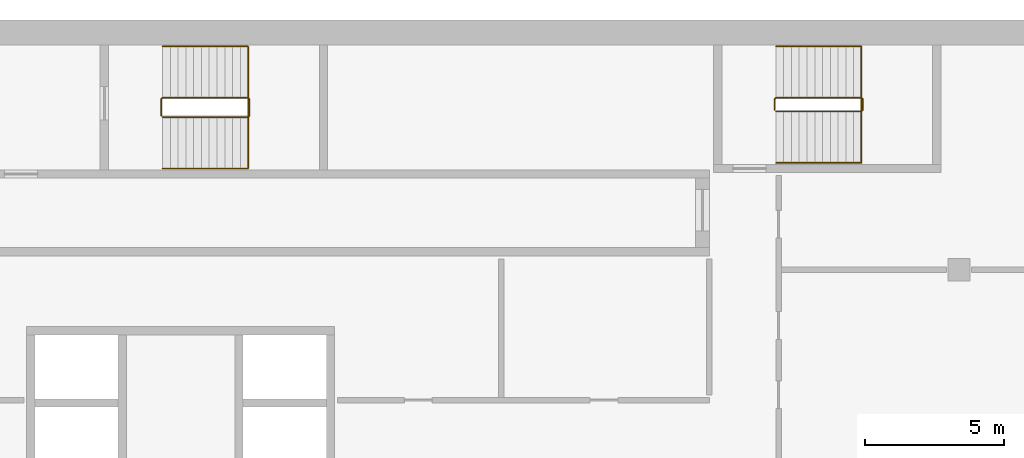
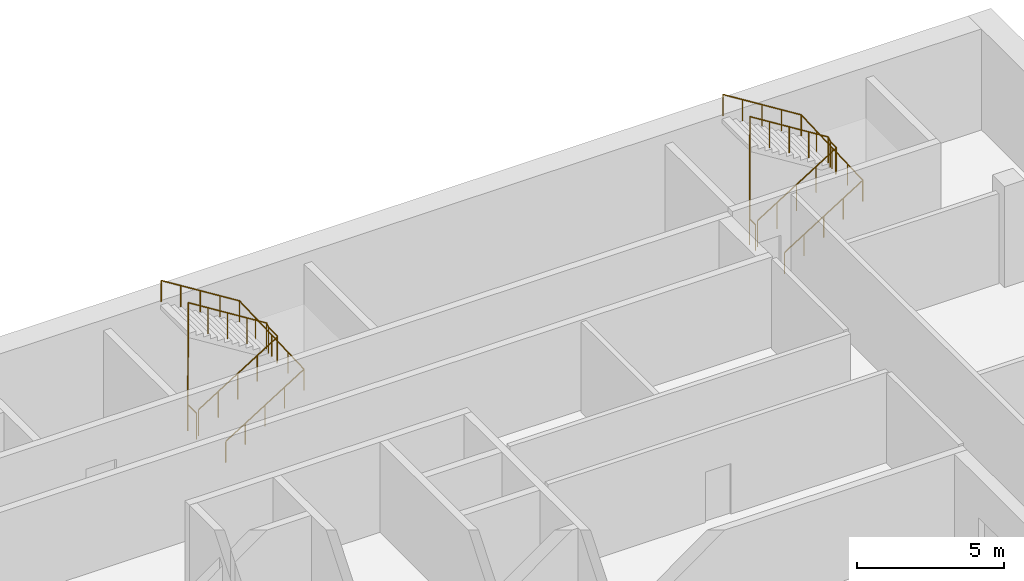
# One storey, part 11 of 11: 4 railings.
"""IFC4 building model written with IfcOpenShell, lengths in metres."""

from ifc_helpers import new_model, si_unit, direction, frame, origin, origin_2d, place, context, subcontext, project, spatial, circle, extrude, material, type_object, element, save


model = new_model("IFC4")

# Units and contexts
model_context = context("Model", 3, precision=1e-05, world=origin(), true_north=direction((0.0, 1.0)))
body_context = subcontext(model_context, "Body", "Model", "MODEL_VIEW")
ifc_project = project(units=[si_unit("LENGTHUNIT", "METRE"), si_unit("AREAUNIT", "SQUARE_METRE"), si_unit("VOLUMEUNIT", "CUBIC_METRE"), si_unit("PLANEANGLEUNIT", "RADIAN"), si_unit("MASSUNIT", "GRAM", prefix="KILO")], contexts=[model_context])

# Site, building, storey
site_placement = place(None, origin())
site = spatial("IfcSite", under=ifc_project, at=site_placement, CompositionType="ELEMENT")
building_placement = place(site_placement, origin())
building = spatial("IfcBuilding", under=site, at=building_placement, Name="Hunhe Ridgeline Campus", CompositionType="ELEMENT")
storey_placement = place(building_placement, frame((0.0, 0.0, 303.0)))
storey = spatial("IfcBuildingStorey", under=building, at=storey_placement, Name="L78 Crown", CompositionType="ELEMENT", Elevation=303.0)

# Railings
ifc_material_1 = material(Name="Stainless steel balustrade", Category="steel")
railing_type_1 = type_object("IfcRailingType", Name="Stair guard 1100 stainless", PredefinedType="GUARDRAIL", material=ifc_material_1)
railing_1_placement = place(storey_placement, frame((16.300048828125, 95.5, 0.175048828125)))
element("IfcRailing", 1, at=railing_1_placement, inside=storey, type_object=railing_type_1, Name="L78 Crown stair S1 guard", PredefinedType="GUARDRAIL", context=body_context, shape_type="SweptSolid", body=[
    extrude(circle(Radius=0.02392578125, at=origin_2d()), frame((0.0, 0.0, 1.076171875), z_axis=(0.847979421464, 0.0, 0.530029150871), x_axis=(0.0, 1.0, 0.0)), (0.0, 0.0, 1.0), 3.632080078125),
    extrude(circle(Radius=0.02392578125, at=origin_2d()), frame((3.079833984375, 0.0, 3.0009765625), z_axis=(0.707106781187, 0.707106781187, 0.0), x_axis=(-0.707106781187, 0.707106781187, 0.0)), (0.0, 0.0, 1.0), 0.07080078125),
    extrude(circle(Radius=0.02392578125, at=origin_2d()), frame((3.1298828125, 0.050048828125, 3.0009765625), z_axis=(0.0, 1.0, 0.0), x_axis=(-1.0, 0.0, 0.0)), (0.0, 0.0, 1.0), 0.599853515625),
    extrude(circle(Radius=0.02392578125, at=origin_2d()), frame((3.1298828125, 0.64990234375, 3.0009765625), z_axis=(-0.265383341853, 0.265383341853, 0.926899867156), x_axis=(-0.707106781187, -0.707106781187, 0.0)), (0.0, 0.0, 1.0), 0.1884765625),
    extrude(circle(Radius=0.02392578125, at=origin_2d()), frame((3.079833984375, 0.699951171875, 3.17578125), z_axis=(-0.847979421464, 0.0, 0.530029150871), x_axis=(0.0, -1.0, 0.0)), (0.0, 0.0, 1.0), 3.632080078125),
    extrude(circle(Radius=0.02392578125, at=origin_2d()), frame((0.0, 0.699951171875, 5.10107421875), z_axis=(-0.011914834358, -0.011914834358, -0.999858026644), x_axis=(0.707106781187, -0.707106781187, 0.0)), (0.0, 0.0, 1.0), 4.200439453125),
    extrude(circle(Radius=0.02392578125, at=origin_2d()), frame((-0.050048828125, 0.64990234375, 0.90087890625), z_axis=(0.0, -1.0, 0.0), x_axis=(1.0, 0.0, 0.0)), (0.0, 0.0, 1.0), 0.599853515625),
    extrude(circle(Radius=0.02099609375, at=origin_2d()), origin(), (0.0, 0.0, 1.0), 1.052001953125),
    extrude(circle(Radius=0.02099609375, at=origin_2d()), frame((0.77001953125, 0.0, 0.481201171875)), (0.0, 0.0, 1.0), 1.052001953125),
    extrude(circle(Radius=0.02099609375, at=origin_2d()), frame((1.5400390625, 0.0, 0.96240234375)), (0.0, 0.0, 1.0), 1.052001953125),
    extrude(circle(Radius=0.02099609375, at=origin_2d()), frame((2.309814453125, 0.0, 1.44384765625)), (0.0, 0.0, 1.0), 1.052001953125),
    extrude(circle(Radius=0.02099609375, at=origin_2d()), frame((3.079833984375, 0.0, 1.925048828125)), (0.0, 0.0, 1.0), 1.052001953125),
    extrude(circle(Radius=0.02099609375, at=origin_2d()), frame((3.1298828125, 0.050048828125, 1.925048828125)), (0.0, 0.0, 1.0), 1.052001953125),
    extrude(circle(Radius=0.02099609375, at=origin_2d()), frame((3.1298828125, 0.64990234375, 1.925048828125)), (0.0, 0.0, 1.0), 1.052001953125),
    extrude(circle(Radius=0.02099609375, at=origin_2d()), frame((3.079833984375, 0.699951171875, 2.099853515625)), (0.0, 0.0, 1.0), 1.052001953125),
    extrude(circle(Radius=0.02099609375, at=origin_2d()), frame((2.309814453125, 0.699951171875, 2.5810546875)), (0.0, 0.0, 1.0), 1.052001953125),
    extrude(circle(Radius=0.02099609375, at=origin_2d()), frame((1.5400390625, 0.699951171875, 3.0625)), (0.0, 0.0, 1.0), 1.052001953125),
    extrude(circle(Radius=0.02099609375, at=origin_2d()), frame((0.77001953125, 0.699951171875, 3.543701171875)), (0.0, 0.0, 1.0), 1.052001953125),
    extrude(circle(Radius=0.02099609375, at=origin_2d()), frame((0.0, 0.699951171875, 4.02490234375)), (0.0, 0.0, 1.0), 1.052001953125),
    extrude(circle(Radius=0.02099609375, at=origin_2d()), frame((-0.012451171875, 0.6875, 2.974853515625)), (0.0, 0.0, 1.0), 1.052001953125),
    extrude(circle(Radius=0.02099609375, at=origin_2d()), frame((-0.02490234375, 0.6748046875, 1.9248046875)), (0.0, 0.0, 1.0), 1.052001953125),
    extrude(circle(Radius=0.02099609375, at=origin_2d()), frame((-0.03759765625, 0.662353515625, 0.875)), (0.0, 0.0, 1.0), 1.052001953125),
    extrude(circle(Radius=0.02099609375, at=origin_2d()), frame((-0.050048828125, 0.64990234375, -0.175048828125)), (0.0, 0.0, 1.0), 1.052001953125),
    extrude(circle(Radius=0.02099609375, at=origin_2d()), frame((-0.050048828125, 0.050048828125, -0.175048828125)), (0.0, 0.0, 1.0), 1.052001953125),
])
railing_2_placement = place(storey_placement, frame((38.39990234375, 95.699951171875, 0.175048828125)))
element("IfcRailing", 2, at=railing_2_placement, inside=storey, type_object=railing_type_1, Name="L78 Crown stair E1 guard", PredefinedType="GUARDRAIL", context=body_context, shape_type="SweptSolid", body=[
    extrude(circle(Radius=0.02392578125, at=origin_2d()), frame((0.0, 0.0, 1.076171875), z_axis=(0.847998304005, 0.0, 0.529998940003), x_axis=(0.0, 1.0, 0.0)), (0.0, 0.0, 1.0), 3.632080078125),
    extrude(circle(Radius=0.02392578125, at=origin_2d()), frame((3.080078125, 0.0, 3.0009765625), z_axis=(0.707106781187, 0.707106781187, 0.0), x_axis=(-0.707106781187, 0.707106781187, 0.0)), (0.0, 0.0, 1.0), 0.07080078125),
    extrude(circle(Radius=0.02392578125, at=origin_2d()), frame((3.130126953125, 0.050048828125, 3.0009765625), z_axis=(0.0, 1.0, 0.0), x_axis=(-1.0, 0.0, 0.0)), (0.0, 0.0, 1.0), 0.39990234375),
    extrude(circle(Radius=0.02392578125, at=origin_2d()), frame((3.130126953125, 0.449951171875, 3.0009765625), z_axis=(-0.265383341853, 0.265383341853, 0.926899867156), x_axis=(-0.707106781187, -0.707106781187, 0.0)), (0.0, 0.0, 1.0), 0.1884765625),
    extrude(circle(Radius=0.02392578125, at=origin_2d()), frame((3.080078125, 0.5, 3.17578125), z_axis=(-0.847998304005, 0.0, 0.529998940003), x_axis=(0.0, -1.0, 0.0)), (0.0, 0.0, 1.0), 3.632080078125),
    extrude(circle(Radius=0.02392578125, at=origin_2d()), frame((0.0, 0.5, 5.10107421875), z_axis=(-0.011856721406, -0.011914842589, -0.999858717361), x_axis=(0.708833529934, -0.705375805398, 0.0)), (0.0, 0.0, 1.0), 4.200439453125),
    extrude(circle(Radius=0.02392578125, at=origin_2d()), frame((-0.0498046875, 0.449951171875, 0.90087890625), z_axis=(0.0, -1.0, 0.0), x_axis=(1.0, 0.0, 0.0)), (0.0, 0.0, 1.0), 0.39990234375),
    extrude(circle(Radius=0.02099609375, at=origin_2d()), origin(), (0.0, 0.0, 1.0), 1.052001953125),
    extrude(circle(Radius=0.02099609375, at=origin_2d()), frame((0.77001953125, 0.0, 0.481201171875)), (0.0, 0.0, 1.0), 1.052001953125),
    extrude(circle(Radius=0.02099609375, at=origin_2d()), frame((1.5400390625, 0.0, 0.96240234375)), (0.0, 0.0, 1.0), 1.052001953125),
    extrude(circle(Radius=0.02099609375, at=origin_2d()), frame((2.31005859375, 0.0, 1.44384765625)), (0.0, 0.0, 1.0), 1.052001953125),
    extrude(circle(Radius=0.02099609375, at=origin_2d()), frame((3.080078125, 0.0, 1.925048828125)), (0.0, 0.0, 1.0), 1.052001953125),
    extrude(circle(Radius=0.02099609375, at=origin_2d()), frame((3.130126953125, 0.050048828125, 1.925048828125)), (0.0, 0.0, 1.0), 1.052001953125),
    extrude(circle(Radius=0.02099609375, at=origin_2d()), frame((3.130126953125, 0.449951171875, 1.925048828125)), (0.0, 0.0, 1.0), 1.052001953125),
    extrude(circle(Radius=0.02099609375, at=origin_2d()), frame((3.080078125, 0.5, 2.099853515625)), (0.0, 0.0, 1.0), 1.052001953125),
    extrude(circle(Radius=0.02099609375, at=origin_2d()), frame((2.31005859375, 0.5, 2.5810546875)), (0.0, 0.0, 1.0), 1.052001953125),
    extrude(circle(Radius=0.02099609375, at=origin_2d()), frame((1.5400390625, 0.5, 3.0625)), (0.0, 0.0, 1.0), 1.052001953125),
    extrude(circle(Radius=0.02099609375, at=origin_2d()), frame((0.77001953125, 0.5, 3.543701171875)), (0.0, 0.0, 1.0), 1.052001953125),
    extrude(circle(Radius=0.02099609375, at=origin_2d()), frame((0.0, 0.5, 4.02490234375)), (0.0, 0.0, 1.0), 1.052001953125),
    extrude(circle(Radius=0.02099609375, at=origin_2d()), frame((-0.012451171875, 0.487548828125, 2.974853515625)), (0.0, 0.0, 1.0), 1.052001953125),
    extrude(circle(Radius=0.02099609375, at=origin_2d()), frame((-0.02490234375, 0.47509765625, 1.9248046875)), (0.0, 0.0, 1.0), 1.052001953125),
    extrude(circle(Radius=0.02099609375, at=origin_2d()), frame((-0.037353515625, 0.46240234375, 0.875)), (0.0, 0.0, 1.0), 1.052001953125),
    extrude(circle(Radius=0.02099609375, at=origin_2d()), frame((-0.0498046875, 0.449951171875, -0.175048828125)), (0.0, 0.0, 1.0), 1.052001953125),
    extrude(circle(Radius=0.02099609375, at=origin_2d()), frame((-0.0498046875, 0.050048828125, -0.175048828125)), (0.0, 0.0, 1.0), 1.052001953125),
])
ifc_material_2 = material(Name="Stainless steel handrail", Category="steel")
railing_type_2 = type_object("IfcRailingType", Name="Stair handrail 900 stainless", PredefinedType="HANDRAIL", material=ifc_material_2)
railing_3_placement = place(storey_placement, frame((16.300048828125, 93.64990234375, 0.175048828125)))
element("IfcRailing", 3, at=railing_3_placement, inside=storey, type_object=railing_type_2, Name="L78 Crown stair S1 handrail", PredefinedType="HANDRAIL", context=body_context, shape_type="SweptSolid", body=[
    extrude(circle(Radius=0.02392578125, at=origin_2d()), frame((0.0, 0.0, 0.8759765625), z_axis=(0.847979421464, 0.0, 0.530029150871), x_axis=(0.0, 1.0, 0.0)), (0.0, 0.0, 1.0), 3.632080078125),
    extrude(circle(Radius=0.02392578125, at=origin_2d()), frame((3.079833984375, 0.0, 2.80078125), z_axis=(0.0, 0.999211814954, 0.039695703241), x_axis=(-1.0, 0.0, 0.0)), (0.0, 0.0, 1.0), 4.403564453125),
    extrude(circle(Radius=0.02392578125, at=origin_2d()), frame((3.079833984375, 4.400146484375, 2.9755859375), z_axis=(-0.847979421464, 0.0, 0.530029150871), x_axis=(0.0, -1.0, 0.0)), (0.0, 0.0, 1.0), 3.632080078125),
    extrude(circle(Radius=0.02099609375, at=origin_2d()), origin(), (0.0, 0.0, 1.0), 0.851806640625),
    extrude(circle(Radius=0.02099609375, at=origin_2d()), frame((0.77001953125, 0.0, 0.481201171875)), (0.0, 0.0, 1.0), 0.851806640625),
    extrude(circle(Radius=0.02099609375, at=origin_2d()), frame((1.5400390625, 0.0, 0.96240234375)), (0.0, 0.0, 1.0), 0.851806640625),
    extrude(circle(Radius=0.02099609375, at=origin_2d()), frame((2.309814453125, 0.0, 1.44384765625)), (0.0, 0.0, 1.0), 0.851806640625),
    extrude(circle(Radius=0.02099609375, at=origin_2d()), frame((3.079833984375, 0.0, 1.925048828125)), (0.0, 0.0, 1.0), 0.851806640625),
    extrude(circle(Radius=0.02099609375, at=origin_2d()), frame((3.079833984375, 1.10009765625, 1.96875)), (0.0, 0.0, 1.0), 0.851806640625),
    extrude(circle(Radius=0.02099609375, at=origin_2d()), frame((3.079833984375, 2.2001953125, 2.012451171875)), (0.0, 0.0, 1.0), 0.851806640625),
    extrude(circle(Radius=0.02099609375, at=origin_2d()), frame((3.079833984375, 3.300048828125, 2.05615234375)), (0.0, 0.0, 1.0), 0.851806640625),
    extrude(circle(Radius=0.02099609375, at=origin_2d()), frame((3.079833984375, 4.400146484375, 2.099853515625)), (0.0, 0.0, 1.0), 0.851806640625),
    extrude(circle(Radius=0.02099609375, at=origin_2d()), frame((2.309814453125, 4.400146484375, 2.5810546875)), (0.0, 0.0, 1.0), 0.851806640625),
    extrude(circle(Radius=0.02099609375, at=origin_2d()), frame((1.5400390625, 4.400146484375, 3.0625)), (0.0, 0.0, 1.0), 0.851806640625),
    extrude(circle(Radius=0.02099609375, at=origin_2d()), frame((0.77001953125, 4.400146484375, 3.543701171875)), (0.0, 0.0, 1.0), 0.851806640625),
    extrude(circle(Radius=0.02099609375, at=origin_2d()), frame((0.0, 4.400146484375, 4.02490234375)), (0.0, 0.0, 1.0), 0.851806640625),
])
railing_4_placement = place(storey_placement, frame((38.39990234375, 93.85009765625, 0.175048828125)))
element("IfcRailing", 4, at=railing_4_placement, inside=storey, type_object=railing_type_2, Name="L78 Crown stair E1 handrail", PredefinedType="HANDRAIL", context=body_context, shape_type="SweptSolid", body=[
    extrude(circle(Radius=0.02392578125, at=origin_2d()), frame((0.0, 0.0, 0.8759765625), z_axis=(0.847998304005, 0.0, 0.529998940003), x_axis=(0.0, 1.0, 0.0)), (0.0, 0.0, 1.0), 3.632080078125),
    extrude(circle(Radius=0.02392578125, at=origin_2d()), frame((3.080078125, 0.0, 2.80078125), z_axis=(0.0, 0.999134984522, 0.041584645057), x_axis=(-1.0, 0.0, 0.0)), (0.0, 0.0, 1.0), 4.20361328125),
    extrude(circle(Radius=0.02392578125, at=origin_2d()), frame((3.080078125, 4.199951171875, 2.9755859375), z_axis=(-0.847998304005, 0.0, 0.529998940003), x_axis=(0.0, -1.0, 0.0)), (0.0, 0.0, 1.0), 3.632080078125),
    extrude(circle(Radius=0.02099609375, at=origin_2d()), origin(), (0.0, 0.0, 1.0), 0.851806640625),
    extrude(circle(Radius=0.02099609375, at=origin_2d()), frame((0.77001953125, 0.0, 0.481201171875)), (0.0, 0.0, 1.0), 0.851806640625),
    extrude(circle(Radius=0.02099609375, at=origin_2d()), frame((1.5400390625, 0.0, 0.96240234375)), (0.0, 0.0, 1.0), 0.851806640625),
    extrude(circle(Radius=0.02099609375, at=origin_2d()), frame((2.31005859375, 0.0, 1.44384765625)), (0.0, 0.0, 1.0), 0.851806640625),
    extrude(circle(Radius=0.02099609375, at=origin_2d()), frame((3.080078125, 0.0, 1.925048828125)), (0.0, 0.0, 1.0), 0.851806640625),
    extrude(circle(Radius=0.02099609375, at=origin_2d()), frame((3.080078125, 1.050048828125, 1.96875)), (0.0, 0.0, 1.0), 0.851806640625),
    extrude(circle(Radius=0.02099609375, at=origin_2d()), frame((3.080078125, 2.10009765625, 2.012451171875)), (0.0, 0.0, 1.0), 0.851806640625),
    extrude(circle(Radius=0.02099609375, at=origin_2d()), frame((3.080078125, 3.14990234375, 2.05615234375)), (0.0, 0.0, 1.0), 0.851806640625),
    extrude(circle(Radius=0.02099609375, at=origin_2d()), frame((3.080078125, 4.199951171875, 2.099853515625)), (0.0, 0.0, 1.0), 0.851806640625),
    extrude(circle(Radius=0.02099609375, at=origin_2d()), frame((2.31005859375, 4.199951171875, 2.5810546875)), (0.0, 0.0, 1.0), 0.851806640625),
    extrude(circle(Radius=0.02099609375, at=origin_2d()), frame((1.5400390625, 4.199951171875, 3.0625)), (0.0, 0.0, 1.0), 0.851806640625),
    extrude(circle(Radius=0.02099609375, at=origin_2d()), frame((0.77001953125, 4.199951171875, 3.543701171875)), (0.0, 0.0, 1.0), 0.851806640625),
    extrude(circle(Radius=0.02099609375, at=origin_2d()), frame((0.0, 4.199951171875, 4.02490234375)), (0.0, 0.0, 1.0), 0.851806640625),
])

save(model, "model.ifc")
